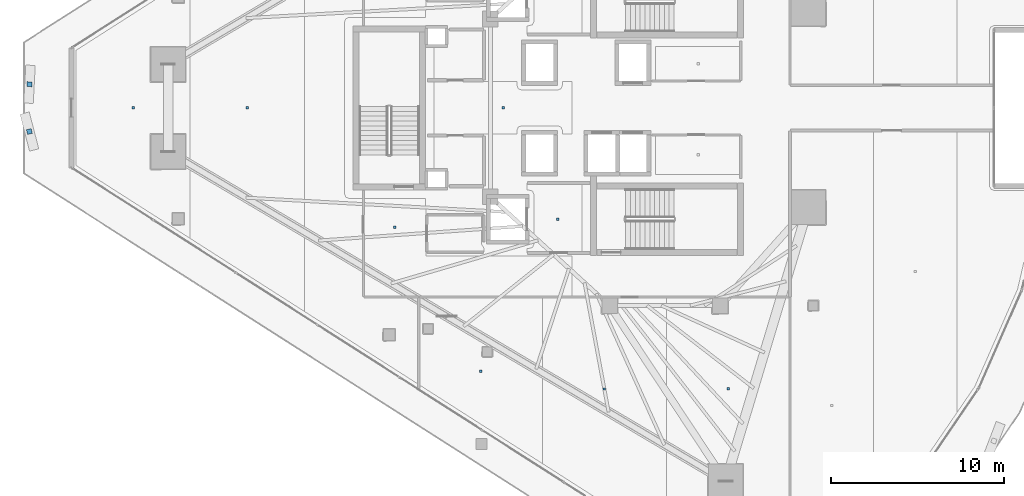
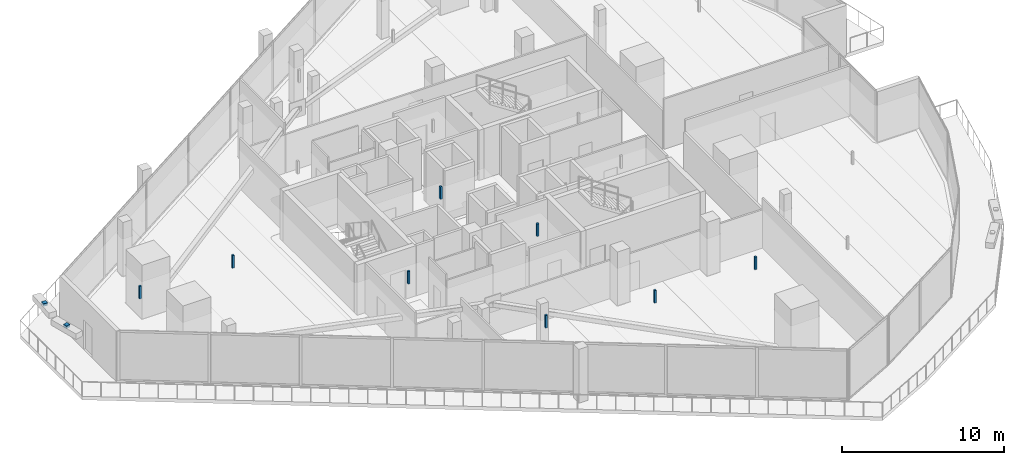
# One storey, part 30 of 39: 10 discrete accessories.
"""IFC4 building model written with IfcOpenShell, lengths in metres."""

from ifc_helpers import new_model, si_unit, direction, frame, origin, origin_2d, place, context, subcontext, project, spatial, rectangle, extrude, material, type_object, element, save


model = new_model("IFC4")

# Units and contexts
model_context = context("Model", 3, precision=1e-05, world=origin(), true_north=direction((0.0, 1.0)))
body_context = subcontext(model_context, "Body", "Model", "MODEL_VIEW")
ifc_project = project(units=[si_unit("LENGTHUNIT", "METRE"), si_unit("AREAUNIT", "SQUARE_METRE"), si_unit("VOLUMEUNIT", "CUBIC_METRE"), si_unit("PLANEANGLEUNIT", "RADIAN"), si_unit("MASSUNIT", "GRAM", prefix="KILO")], contexts=[model_context])

# Site, building, storey
site_placement = place(None, origin())
site = spatial("IfcSite", under=ifc_project, at=site_placement, CompositionType="ELEMENT")
building_placement = place(site_placement, origin())
building = spatial("IfcBuilding", under=site, at=building_placement, Name="Qorvath Tower", CompositionType="ELEMENT")
storey_placement = place(building_placement, frame((0.0, 0.0, 201.0)))
storey = spatial("IfcBuildingStorey", under=building, at=storey_placement, Name="L46", CompositionType="ELEMENT", Elevation=201.0)

# Discrete accessories
ifc_material = material(Name="Galvanised steel bracket", Category="steel")
discrete_accessory_type = type_object("IfcDiscreteAccessoryType", Name="DA-BRACKET", PredefinedType="BRACKET", material=ifc_material)
for number, where, z_axis, x_axis, name in (
    (1, (-57.19873046875, 1.369873046875, 3.64013671875), (0.0, 0.0, 1.0), (-0.053186490579, -0.998584596927, 0.0), "Louvre Wave Support Bracket L46-01"),
    (2, (-57.206298828125, -1.369873046875, 3.64013671875), (0.0, 0.0, 1.0), (0.251647091481, -0.967819064366, 0.0), "Louvre Wave Support Bracket L46-02"),
):
    element("IfcDiscreteAccessory", number, at=place(storey_placement, frame(where, z_axis=z_axis, x_axis=x_axis)), inside=storey, type_object=discrete_accessory_type, Name=name, PredefinedType="NOTDEFINED", context=body_context, shape_type="SweptSolid", body=[
        extrude(rectangle(XDim=0.280029296875, YDim=0.280029296875, at=origin_2d()), origin(), (0.0, 0.0, 1.0), 0.199951171875),
    ])
for number, where, z_axis, x_axis, name in (
    (3, (-26.590087890625, -6.449951171875, 2.85986328125), (0.0, 0.0, 1.0), (1.0, 0.0, 0.0), "Acoustic Ceiling Suspension Hanger T1-L46-002"),
    (4, (-36.04150390625, -6.9072265625, 2.85986328125), (0.0, 0.0, 1.0), (1.0, 0.0, 0.0), "Acoustic Ceiling Suspension Hanger T1-L46-009"),
    (5, (-29.763916015625, 0.0, 2.85986328125), (0.0, 0.0, 1.0), (1.0, 0.0, 0.0), "Acoustic Ceiling Suspension Hanger T1-L46-011"),
    (6, (-51.198974609375, 0.0, 2.85986328125), (0.0, 0.0, 1.0), (1.0, 0.0, 0.0), "Acoustic Ceiling Suspension Hanger T1-L46-012"),
    (7, (-44.581298828125, 0.0, 2.85986328125), (0.0, 0.0, 1.0), (1.0, 0.0, 0.0), "Acoustic Ceiling Suspension Hanger T1-L46-013"),
    (8, (-31.056640625, -15.24560546875, 2.85986328125), (0.0, 0.0, 1.0), (1.0, 0.0, 0.0), "Acoustic Ceiling Suspension Hanger T1-L46-018"),
    (9, (-23.89599609375, -16.2841796875, 2.85986328125), (0.0, 0.0, 1.0), (1.0, 0.0, 0.0), "Acoustic Ceiling Suspension Hanger T1-L46-019"),
    (10, (-16.7353515625, -16.272216796875, 2.85986328125), (0.0, 0.0, 1.0), (1.0, 0.0, 0.0), "Acoustic Ceiling Suspension Hanger T1-L46-020"),
):
    element("IfcDiscreteAccessory", number, at=place(storey_placement, frame(where, z_axis=z_axis, x_axis=x_axis)), inside=storey, type_object=discrete_accessory_type, Name=name, PredefinedType="NOTDEFINED", context=body_context, shape_type="SweptSolid", body=[
        extrude(rectangle(XDim=0.139892578125, YDim=0.139892578125, at=origin_2d()), origin(), (0.0, 0.0, 1.0), 0.949951171875),
    ])

save(model, "model.ifc")
